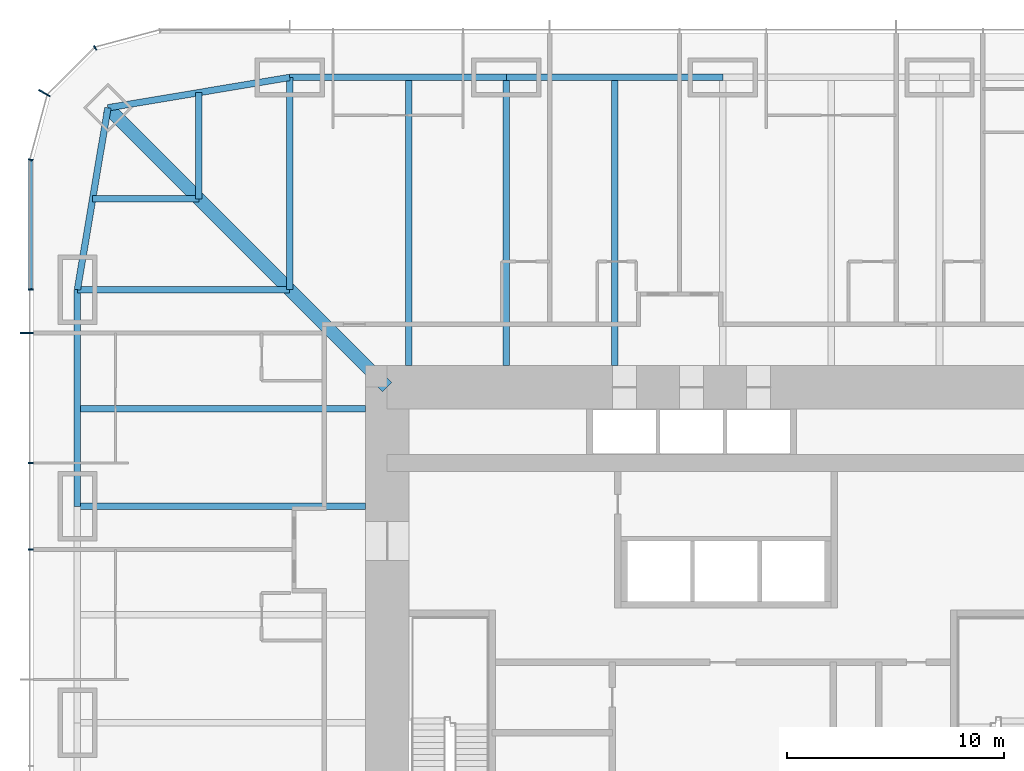
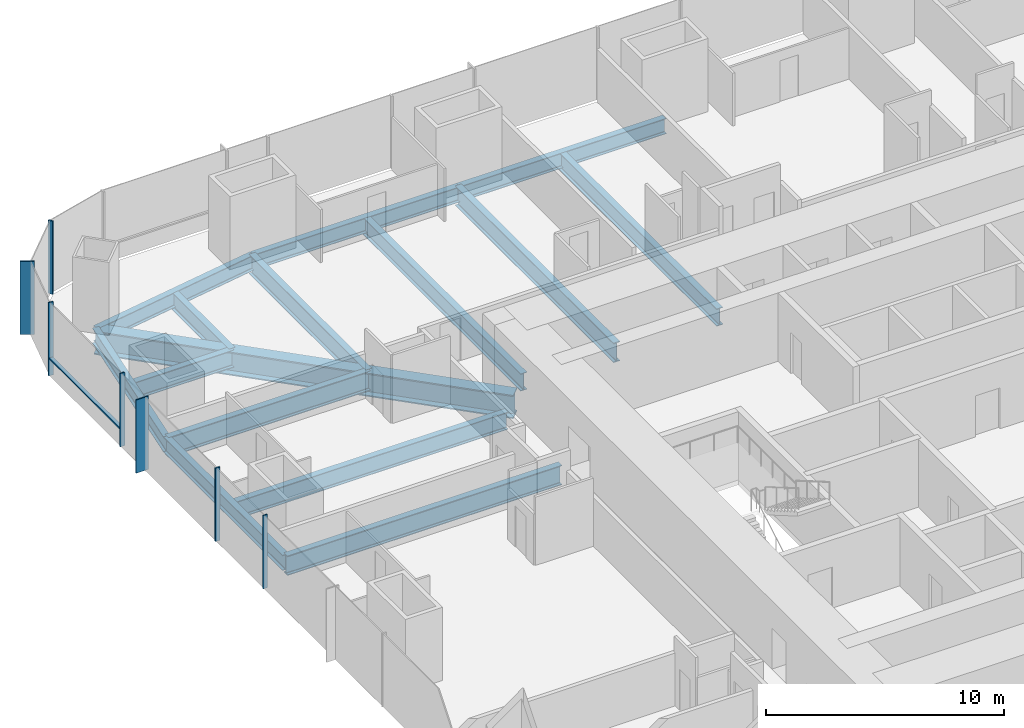
# One storey, part 6 of 20: 15 beams, 8 members, 2 elements without a shape of their own.
"""IFC4 building model written with IfcOpenShell, lengths in metres."""

from ifc_helpers import new_model, si_unit, direction, frame, origin, origin_2d, place, context, subcontext, project, spatial, rectangle, i_section, extrude, material, material_profile, profile_set, type_object, element, aggregate, save


model = new_model("IFC4")

# Units and contexts
model_context = context("Model", 3, precision=1e-05, world=origin(), true_north=direction((0.0, 1.0)))
body_context = subcontext(model_context, "Body", "Model", "MODEL_VIEW")
ifc_project = project(units=[si_unit("LENGTHUNIT", "METRE"), si_unit("AREAUNIT", "SQUARE_METRE"), si_unit("VOLUMEUNIT", "CUBIC_METRE"), si_unit("PLANEANGLEUNIT", "RADIAN"), si_unit("MASSUNIT", "GRAM", prefix="KILO")], contexts=[model_context])

# Site, building, storey
site_placement = place(None, origin())
site = spatial("IfcSite", under=ifc_project, at=site_placement, CompositionType="ELEMENT")
building_placement = place(site_placement, origin())
building = spatial("IfcBuilding", under=site, at=building_placement, Name="Khuree Lantern Residences", CompositionType="ELEMENT")
storey_placement = place(building_placement, frame((0.0, 0.0, 28.5)))
storey = spatial("IfcBuildingStorey", under=building, at=storey_placement, Name="L06", CompositionType="ELEMENT", Elevation=28.5)

# Beams
ifc_material_1 = material(Name="Steel S355", Category="steel")
ifc_material_profile_1 = material_profile(ifc_material_1, i_section(OverallWidth=0.300048828125, OverallDepth=0.889892578125, WebThickness=0.01611328125, FlangeThickness=0.030029296875, FilletRadius=0.030029296875, at=origin_2d()), Name="HE 900 A")
ifc_profile_set_1 = profile_set([ifc_material_profile_1], Name="Steel S355")
beam_type_1 = type_object("IfcBeamType", Name="B-11 SECONDARY BEAM HE 900 A", PredefinedType="BEAM", material=ifc_profile_set_1)
for number, where, z_axis, x_axis, name in (
    (1, (-14.5, 29.800048828125, -0.695068359375), (0.0, -1.0, 0.0), (1.0, 0.0, 0.0), "Secondary beam N1"),
    (2, (-5.0, 29.800048828125, -0.695068359375), (0.0, -1.0, 0.0), (1.0, 0.0, 0.0), "Secondary beam N2"),
    (3, (-29.800048828125, 14.5, -0.695068359375), (1.0, 0.0, 0.0), (0.0, 1.0, 0.0), "Secondary beam W5"),
):
    element("IfcBeam", number, at=place(storey_placement, frame(where, z_axis=z_axis, x_axis=x_axis)), inside=storey, type_object=beam_type_1, Name=name, PredefinedType="BEAM", context=body_context, shape_type="SweptSolid", body=[
        extrude(i_section(OverallWidth=0.300048828125, OverallDepth=0.889892578125, WebThickness=0.01611328125, FlangeThickness=0.030029296875, FilletRadius=0.030029296875, at=origin_2d()), origin(), (0.0, 0.0, 1.0), 13.300048828125),
    ])
for number, where, z_axis, x_axis, name in (
    (4, (-29.09716796875, 24.197021484375, -0.695068359375), (1.0, 0.0, 0.0), (0.0, 1.0, 0.0), "Secondary beam W6"),
    (5, (-24.197021484375, 29.09716796875, -0.695068359375), (0.0, -1.0, 0.0), (1.0, 0.0, 0.0), "Secondary beam N6"),
):
    element("IfcBeam", number, at=place(storey_placement, frame(where, z_axis=z_axis, x_axis=x_axis)), inside=storey, type_object=beam_type_1, Name=name, PredefinedType="BEAM", context=body_context, shape_type="SweptSolid", body=[
        extrude(i_section(OverallWidth=0.300048828125, OverallDepth=0.889892578125, WebThickness=0.01611328125, FlangeThickness=0.030029296875, FilletRadius=0.030029296875, at=origin_2d()), origin(), (0.0, 0.0, 1.0), 4.900146484375),
    ])
ifc_material_profile_2 = material_profile(ifc_material_1, i_section(OverallWidth=0.300048828125, OverallDepth=0.7900390625, WebThickness=0.014892578125, FlangeThickness=0.028076171875, FilletRadius=0.030029296875, at=origin_2d()), Name="HE 800 A")
ifc_profile_set_2 = profile_set([ifc_material_profile_2], Name="Steel S355")
beam_type_2 = type_object("IfcBeamType", Name="E-11 SPANDREL BEAM HE 800 A", PredefinedType="SPANDREL", material=ifc_profile_set_2)
for number, where, z_axis, x_axis, name in (
    (6, (-20.0, 29.800048828125, -0.64501953125), (1.0, 0.0, 0.0), (0.0, 1.0, 0.0), "Spandrel beam N1"),
    (7, (-10.0, 29.800048828125, -0.64501953125), (1.0, 0.0, 0.0), (0.0, 1.0, 0.0), "Spandrel beam N2"),
    (8, (-29.800048828125, 10.0, -0.64501953125), (0.0, 1.0, 0.0), (-1.0, 0.0, 0.0), "Spandrel beam W5"),
):
    element("IfcBeam", number, at=place(storey_placement, frame(where, z_axis=z_axis, x_axis=x_axis)), inside=storey, type_object=beam_type_2, Name=name, PredefinedType="SPANDREL", context=body_context, shape_type="SweptSolid", body=[
        extrude(i_section(OverallWidth=0.300048828125, OverallDepth=0.7900390625, WebThickness=0.014892578125, FlangeThickness=0.028076171875, FilletRadius=0.030029296875, at=origin_2d()), origin(), (0.0, 0.0, 1.0), 10.0),
    ])
for number, where, z_axis, x_axis, name in (
    (9, (-29.800048828125, 20.0, -0.64501953125), (0.165199022349, 0.986260251158, 0.0), (-0.986260251158, 0.165199022349, 0.0), "Spandrel beam W6"),
    (10, (-28.39404296875, 28.39404296875, -0.64501953125), (0.986260251158, 0.165199022349, 0.0), (-0.165199022349, 0.986260251158, 0.0), "Spandrel beam N6"),
):
    element("IfcBeam", number, at=place(storey_placement, frame(where, z_axis=z_axis, x_axis=x_axis)), inside=storey, type_object=beam_type_2, Name=name, PredefinedType="SPANDREL", context=body_context, shape_type="SweptSolid", body=[
        extrude(i_section(OverallWidth=0.300048828125, OverallDepth=0.7900390625, WebThickness=0.014892578125, FlangeThickness=0.028076171875, FilletRadius=0.030029296875, at=origin_2d()), origin(), (0.0, 0.0, 1.0), 8.510986328125),
    ])

# Curtain wall, member
ifc_material_2 = material(Name="Bronze anodised aluminium", Category="aluminium")
curtain_wall_type_1 = type_object("IfcCurtainWallType", Name="CW-T2 TOWER CORNER CURTAIN WALL", PredefinedType="USERDEFINED", material=ifc_material_2)
curtain_wall_1_placement = place(storey_placement, origin())
curtain_wall_1 = element("IfcCurtainWall", 11, at=curtain_wall_1_placement, inside=storey, type_object=curtain_wall_type_1, Name="L06 NORTH-WEST CORNER CURTAIN WALL", ObjectType="Faceted corner curtain wall", PredefinedType="USERDEFINED")
ifc_material_profile_3 = material_profile(ifc_material_2, rectangle(XDim=0.06494140625, YDim=0.60009765625, at=origin_2d()), Name="F1 65X600")
ifc_profile_set_3 = profile_set([ifc_material_profile_3], Name="Bronze anodised aluminium")
member_type_1 = type_object("IfcMemberType", Name="F1 BRONZE FIN MULLION TOWER 65X600", PredefinedType="MULLION", material=ifc_profile_set_3)
member_1_placement = place(storey_placement, frame((-31.326171875, 29.074951171875, 0.0), z_axis=(0.0, 0.0, 1.0), x_axis=(-0.500000056923, -0.86602537092, 0.0)))
member_1 = element("IfcMember", 12, at=member_1_placement, type_object=member_type_1, Name="L06 NORTH-WEST CORNER FIN MULLION 31", PredefinedType="MULLION", context=body_context, shape_type="SweptSolid", body=[
    extrude(rectangle(XDim=0.06494140625, YDim=0.60009765625, at=origin_2d()), origin(), (0.0, 0.0, 1.0), 3.75),
])

curtain_wall_type_2 = type_object("IfcCurtainWallType", Name="CW-T1 TOWER FACE CURTAIN WALL", PredefinedType="USERDEFINED", material=ifc_material_2)
curtain_wall_2_placement = place(storey_placement, origin())
curtain_wall_2 = element("IfcCurtainWall", 13, at=curtain_wall_2_placement, inside=storey, type_object=curtain_wall_type_2, Name="L06 WEST FACE CURTAIN WALL", ObjectType="Stick-built curtain wall", PredefinedType="USERDEFINED")
member_2_placement = place(storey_placement, frame((-32.14990234375, 18.0, 0.0), z_axis=(0.0, 0.0, 1.0), x_axis=(0.0, -1.0, 0.0)))
member_2 = element("IfcMember", 14, at=member_2_placement, type_object=member_type_1, Name="L06 WEST FACE FIN MULLION 34", PredefinedType="MULLION", context=body_context, shape_type="SweptSolid", body=[
    extrude(rectangle(XDim=0.06494140625, YDim=0.60009765625, at=origin_2d()), origin(), (0.0, 0.0, 1.0), 3.75),
])

# Beams
ifc_material_profile_4 = material_profile(ifc_material_1, i_section(OverallWidth=0.302001953125, OverallDepth=1.008056640625, WebThickness=0.02099609375, FlangeThickness=0.0400390625, FilletRadius=0.030029296875, at=origin_2d()), Name="HE 1000 M")
ifc_profile_set_4 = profile_set([ifc_material_profile_4], Name="Steel S355")
beam_type_3 = type_object("IfcBeamType", Name="G-11 GIRDER HE 1000 M", PredefinedType="BEAM", material=ifc_profile_set_4)
beam_1_placement = place(storey_placement, frame((-20.0, 29.800048828125, -0.75390625), z_axis=(0.0, -1.0, 0.0), x_axis=(1.0, 0.0, 0.0)))
element("IfcBeam", 15, at=beam_1_placement, inside=storey, type_object=beam_type_3, Name="Girder N1", PredefinedType="BEAM", context=body_context, shape_type="SweptSolid", body=[
    extrude(i_section(OverallWidth=0.302001953125, OverallDepth=1.008056640625, WebThickness=0.02099609375, FlangeThickness=0.0400390625, FilletRadius=0.030029296875, at=origin_2d()), origin(), (0.0, 0.0, 1.0), 9.800048828125),
])
for number, where, z_axis, x_axis, name in (
    (16, (-10.0, 29.800048828125, -0.75390625), (0.0, -1.0, 0.0), (1.0, 0.0, 0.0), "Girder N2"),
    (17, (-29.800048828125, 10.0, -0.75390625), (1.0, 0.0, 0.0), (0.0, 1.0, 0.0), "Girder W4"),
):
    element("IfcBeam", number, at=place(storey_placement, frame(where, z_axis=z_axis, x_axis=x_axis)), inside=storey, type_object=beam_type_3, Name=name, PredefinedType="BEAM", context=body_context, shape_type="SweptSolid", body=[
        extrude(i_section(OverallWidth=0.302001953125, OverallDepth=1.008056640625, WebThickness=0.02099609375, FlangeThickness=0.0400390625, FilletRadius=0.030029296875, at=origin_2d()), origin(), (0.0, 0.0, 1.0), 13.300048828125),
    ])
beam_2_placement = place(storey_placement, frame((-29.800048828125, 20.0, -0.75390625), z_axis=(1.0, 0.0, 0.0), x_axis=(0.0, 1.0, 0.0)))
element("IfcBeam", 18, at=beam_2_placement, inside=storey, type_object=beam_type_3, Name="Girder W5", PredefinedType="BEAM", context=body_context, shape_type="SweptSolid", body=[
    extrude(i_section(OverallWidth=0.302001953125, OverallDepth=1.008056640625, WebThickness=0.02099609375, FlangeThickness=0.0400390625, FilletRadius=0.030029296875, at=origin_2d()), origin(), (0.0, 0.0, 1.0), 9.800048828125),
])
ifc_material_profile_5 = material_profile(ifc_material_1, i_section(OverallWidth=0.60009765625, OverallDepth=1.199951171875, WebThickness=0.030029296875, FlangeThickness=0.06005859375, at=origin_2d()), Name="WELDED I 1200X600X30X60")
ifc_profile_set_5 = profile_set([ifc_material_profile_5], Name="Steel S355")
beam_type_4 = type_object("IfcBeamType", Name="GD-11 CORNER GIRDER WELDED I 1200X600X30X60", PredefinedType="BEAM", material=ifc_profile_set_5)
beam_3_placement = place(storey_placement, frame((-28.39404296875, 28.39404296875, -0.85009765625), z_axis=(0.707106781187, -0.707106781187, 0.0), x_axis=(0.707106781187, 0.707106781187, 0.0)))
element("IfcBeam", 19, at=beam_3_placement, inside=storey, type_object=beam_type_4, Name="Corner girder NW", PredefinedType="BEAM", context=body_context, shape_type="SweptSolid", body=[
    extrude(i_section(OverallWidth=0.60009765625, OverallDepth=1.199951171875, WebThickness=0.030029296875, FlangeThickness=0.06005859375, at=origin_2d()), origin(), (0.0, 0.0, 1.0), 18.23486328125),
])

# Member
ifc_material_profile_6 = material_profile(ifc_material_2, rectangle(XDim=0.06494140625, YDim=0.219970703125, at=origin_2d()), Name="M1 65X220")
ifc_profile_set_6 = profile_set([ifc_material_profile_6], Name="Bronze anodised aluminium")
member_type_2 = type_object("IfcMemberType", Name="M1 BRONZE MULLION TOWER 65X220", PredefinedType="MULLION", material=ifc_profile_set_6)
member_3_placement = place(storey_placement, frame((-28.97998046875, 31.16162109375, 0.0), z_axis=(0.0, 0.0, 1.0), x_axis=(-0.86602537092, -0.500000056923, 0.0)))
member_3 = element("IfcMember", 20, at=member_3_placement, type_object=member_type_2, Name="L06 NORTH-WEST CORNER MULLION 30", PredefinedType="MULLION", context=body_context, shape_type="SweptSolid", body=[
    extrude(rectangle(XDim=0.06494140625, YDim=0.219970703125, at=origin_2d()), origin(), (0.0, 0.0, 1.0), 3.75),
])

aggregate(curtain_wall_1, [member_3, member_1])

member_4_placement = place(storey_placement, frame((-31.961669921875, 25.994873046875, 0.0), z_axis=(0.0, 0.0, 1.0), x_axis=(-0.130526257387, -0.991444852794, 0.0)))
member_4 = element("IfcMember", 21, at=member_4_placement, type_object=member_type_2, Name="L06 WEST FACE MULLION 32", PredefinedType="MULLION", context=body_context, shape_type="SweptSolid", body=[
    extrude(rectangle(XDim=0.06494140625, YDim=0.219970703125, at=origin_2d()), origin(), (0.0, 0.0, 1.0), 3.75),
])

member_5_placement = place(storey_placement, frame((-31.9599609375, 20.0, 0.0), z_axis=(0.0, 0.0, 1.0), x_axis=(0.0, -1.0, 0.0)))
member_5 = element("IfcMember", 22, at=member_5_placement, type_object=member_type_2, Name="L06 WEST FACE MULLION 33", PredefinedType="MULLION", context=body_context, shape_type="SweptSolid", body=[
    extrude(rectangle(XDim=0.06494140625, YDim=0.219970703125, at=origin_2d()), origin(), (0.0, 0.0, 1.0), 3.75),
])

member_6_placement = place(storey_placement, frame((-31.9599609375, 12.0, 0.0), z_axis=(0.0, 0.0, 1.0), x_axis=(0.0, -1.0, 0.0)))
member_6 = element("IfcMember", 23, at=member_6_placement, type_object=member_type_2, Name="L06 WEST FACE MULLION 35", PredefinedType="MULLION", context=body_context, shape_type="SweptSolid", body=[
    extrude(rectangle(XDim=0.06494140625, YDim=0.219970703125, at=origin_2d()), origin(), (0.0, 0.0, 1.0), 3.75),
])

member_7_placement = place(storey_placement, frame((-31.9599609375, 8.0, 0.0), z_axis=(0.0, 0.0, 1.0), x_axis=(0.0, -1.0, 0.0)))
member_7 = element("IfcMember", 24, at=member_7_placement, type_object=member_type_2, Name="L06 WEST FACE MULLION 36", PredefinedType="MULLION", context=body_context, shape_type="SweptSolid", body=[
    extrude(rectangle(XDim=0.06494140625, YDim=0.219970703125, at=origin_2d()), origin(), (0.0, 0.0, 1.0), 3.75),
])

ifc_material_profile_7 = material_profile(ifc_material_2, rectangle(XDim=0.179931640625, YDim=0.06494140625, at=origin_2d()), Name="T1 180X65")
ifc_profile_set_7 = profile_set([ifc_material_profile_7], Name="Bronze anodised aluminium")
member_type_3 = type_object("IfcMemberType", Name="TRANSOM T1 TOWER 180X65", PredefinedType="USERDEFINED", material=ifc_profile_set_7)
member_8_placement = place(storey_placement, frame((-31.969970703125, 25.951416015625, 0.89990234375), z_axis=(0.0, -1.0, 0.0), x_axis=(1.0, 0.0, 0.0)))
member_8 = element("IfcMember", 25, at=member_8_placement, type_object=member_type_3, Name="L06 WEST FACE TRANSOM 32.1", ObjectType="Transom", PredefinedType="USERDEFINED", context=body_context, shape_type="SweptSolid", body=[
    extrude(rectangle(XDim=0.179931640625, YDim=0.06494140625, at=origin_2d()), origin(), (0.0, 0.0, 1.0), 5.9189453125),
])

aggregate(curtain_wall_2, [member_4, member_5, member_2, member_6, member_7, member_8])

save(model, "model.ifc")
